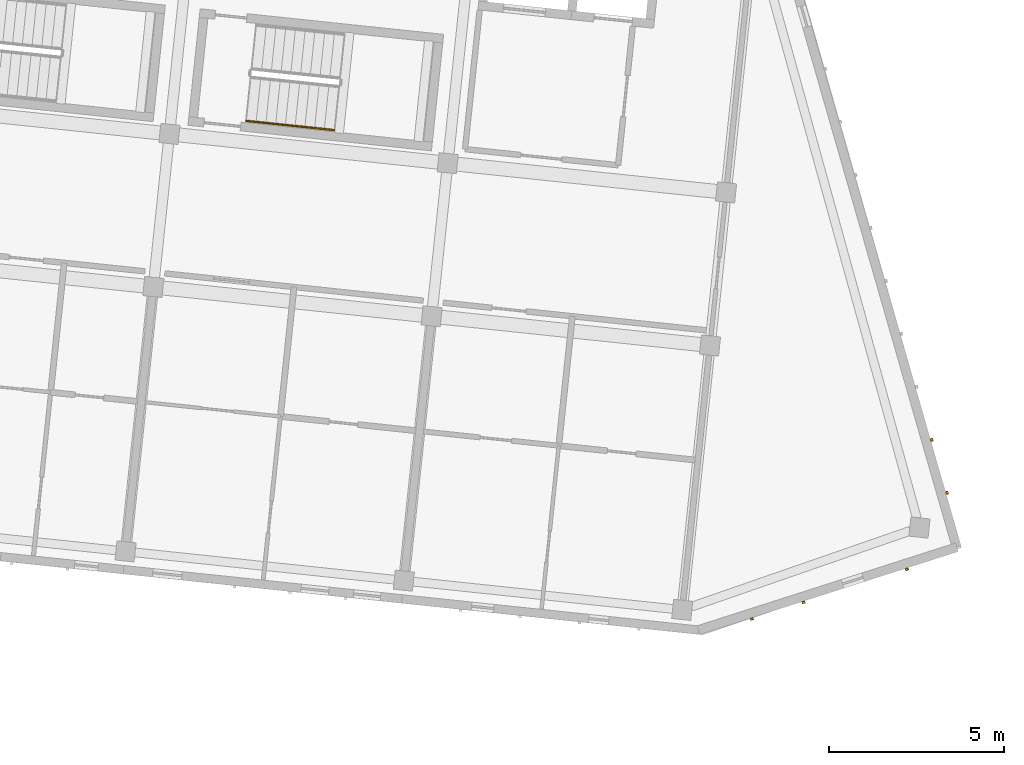
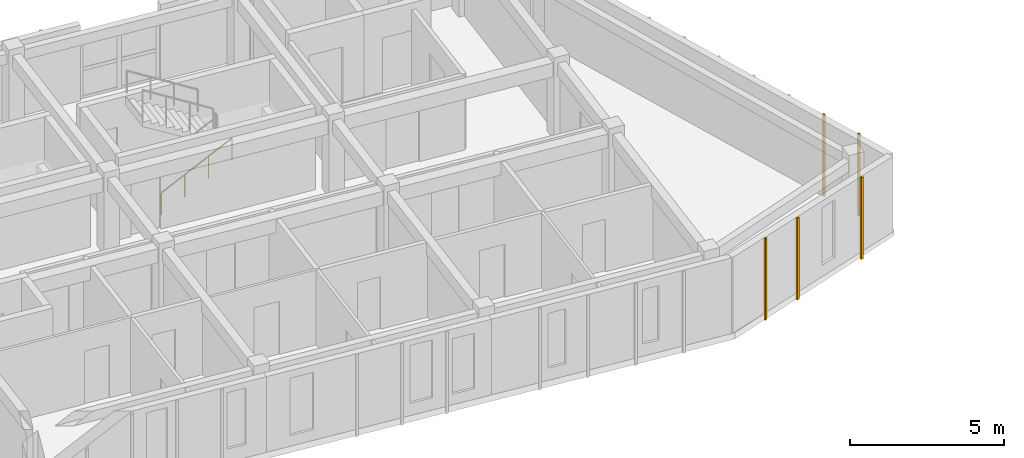
# One storey, part 123 of 127: 5 coverings, 1 railing.
"""IFC4 building model written with IfcOpenShell, lengths in metres."""

from ifc_helpers import new_model, si_unit, direction, frame, origin, origin_2d, place, context, subcontext, project, spatial, rectangle, circle, extrude, material, layer, layer_set, type_object, element, save


model = new_model("IFC4")

# Units and contexts
model_context = context("Model", 3, precision=1e-05, world=origin(), true_north=direction((0.0, 1.0)))
body_context = subcontext(model_context, "Body", "Model", "MODEL_VIEW")
ifc_project = project(units=[si_unit("LENGTHUNIT", "METRE"), si_unit("AREAUNIT", "SQUARE_METRE"), si_unit("VOLUMEUNIT", "CUBIC_METRE"), si_unit("PLANEANGLEUNIT", "RADIAN"), si_unit("MASSUNIT", "GRAM", prefix="KILO")], contexts=[model_context])

# Site, building, storey
site_placement = place(None, origin())
site = spatial("IfcSite", under=ifc_project, at=site_placement, CompositionType="ELEMENT")
building_placement = place(site_placement, origin())
building = spatial("IfcBuilding", under=site, at=building_placement, Name="Kestramere Prow Commons", CompositionType="ELEMENT")
storey_placement = place(building_placement, frame((0.0, 0.0, 8.39990234375)))
storey = spatial("IfcBuildingStorey", under=building, at=storey_placement, Name="L02", CompositionType="ELEMENT", Elevation=8.39990234375)

# Coverings
ifc_material_1 = material(Name="Weathered Zinc-Titanium Standing-Seam Cladding")
ifc_layer = layer(ifc_material_1, 0.074951171875)
ifc_layer_set = layer_set([ifc_layer], Name="Weathered Zinc-Titanium Standing-Seam Cladding")
covering_type = type_object("IfcCoveringType", Name="COV-CLAD-SEAM", PredefinedType="CLADDING", material=ifc_layer_set)
for number, where, z_axis, x_axis, name in (
    (1, (164.87255859375, 94.645263671875, -0.25), (0.0, 0.0, 1.0), (0.27631844013, -0.961066136977, 0.0), "EW-B-L02-PRW-N Standing-Seam Rib 10"),
    (2, (165.307861328125, 93.131103515625, -0.25), (0.0, 0.0, 1.0), (0.27631844013, -0.961066136977, 0.0), "EW-B-L02-PRW-N Standing-Seam Rib 11"),
    (3, (164.16015625, 90.94384765625, -0.25), (0.0, 0.0, 1.0), (-0.952283464374, -0.305215011884, 0.0), "EW-B-L02-PRW-S Standing-Seam Rib 1"),
    (4, (161.20703125, 89.997314453125, -0.25), (0.0, 0.0, 1.0), (-0.952283464374, -0.305215011884, 0.0), "EW-B-L02-PRW-S Standing-Seam Rib 3"),
    (5, (159.73046875, 89.524169921875, -0.25), (0.0, 0.0, 1.0), (-0.952283464374, -0.305215011884, 0.0), "EW-B-L02-PRW-S Standing-Seam Rib 4"),
):
    element("IfcCovering", number, at=place(storey_placement, frame(where, z_axis=z_axis, x_axis=x_axis)), inside=storey, type_object=covering_type, Name=name, PredefinedType="CLADDING", context=body_context, shape_type="SweptSolid", body=[
        extrude(rectangle(XDim=0.0849609375, YDim=0.06494140625, at=origin_2d()), origin(), (0.0, 0.0, 1.0), 3.25),
    ])

# Railing
ifc_material_2 = material(Name="Stainless Steel 304", Category="steel")
railing_type = type_object("IfcRailingType", Name="RL-ST-HR-900", PredefinedType="HANDRAIL", material=ifc_material_2)
railing_placement = place(storey_placement, frame((145.280029296875, 103.76123046875, 0.3251953125)))
element("IfcRailing", 6, at=railing_placement, inside=storey, type_object=railing_type, Name="L02 ST-B2 stair handrail 1", PredefinedType="HANDRAIL", context=body_context, shape_type="SweptSolid", body=[
    extrude(circle(Radius=0.02392578125, at=origin_2d()), frame((0.0, 0.0, 0.8759765625), z_axis=(0.860164962675, -0.090415781269, 0.501937469695), x_axis=(0.104538527394, 0.994520837534, 0.0)), (0.0, 0.0, 1.0), 2.91357421875),
    extrude(circle(Radius=0.02099609375, at=origin_2d()), origin(), (0.0, 0.0, 1.0), 0.851806640625),
    extrude(circle(Radius=0.02099609375, at=origin_2d()), frame((0.83544921875, -0.087890625, 0.487548828125)), (0.0, 0.0, 1.0), 0.851806640625),
    extrude(circle(Radius=0.02099609375, at=origin_2d()), frame((1.670654296875, -0.175537109375, 0.974853515625)), (0.0, 0.0, 1.0), 0.851806640625),
    extrude(circle(Radius=0.02099609375, at=origin_2d()), frame((2.506103515625, -0.263427734375, 1.46240234375)), (0.0, 0.0, 1.0), 0.851806640625),
])

save(model, "model.ifc")
